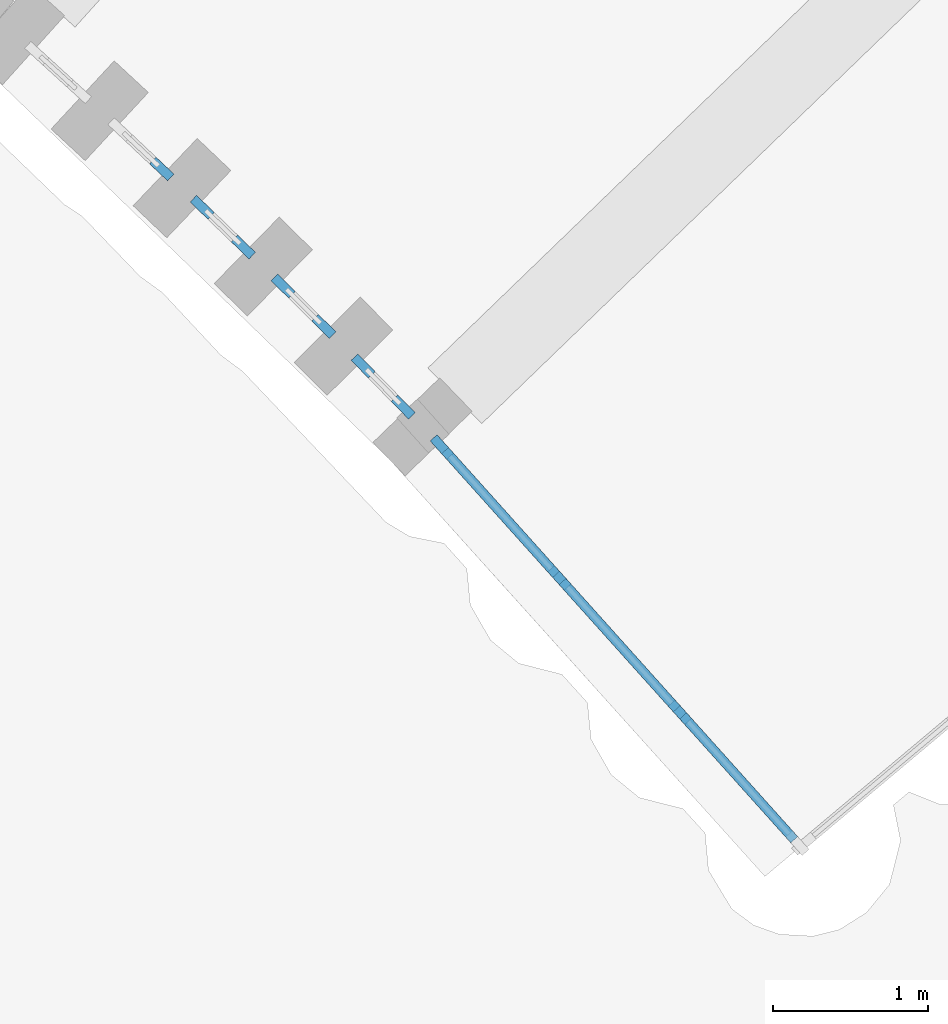
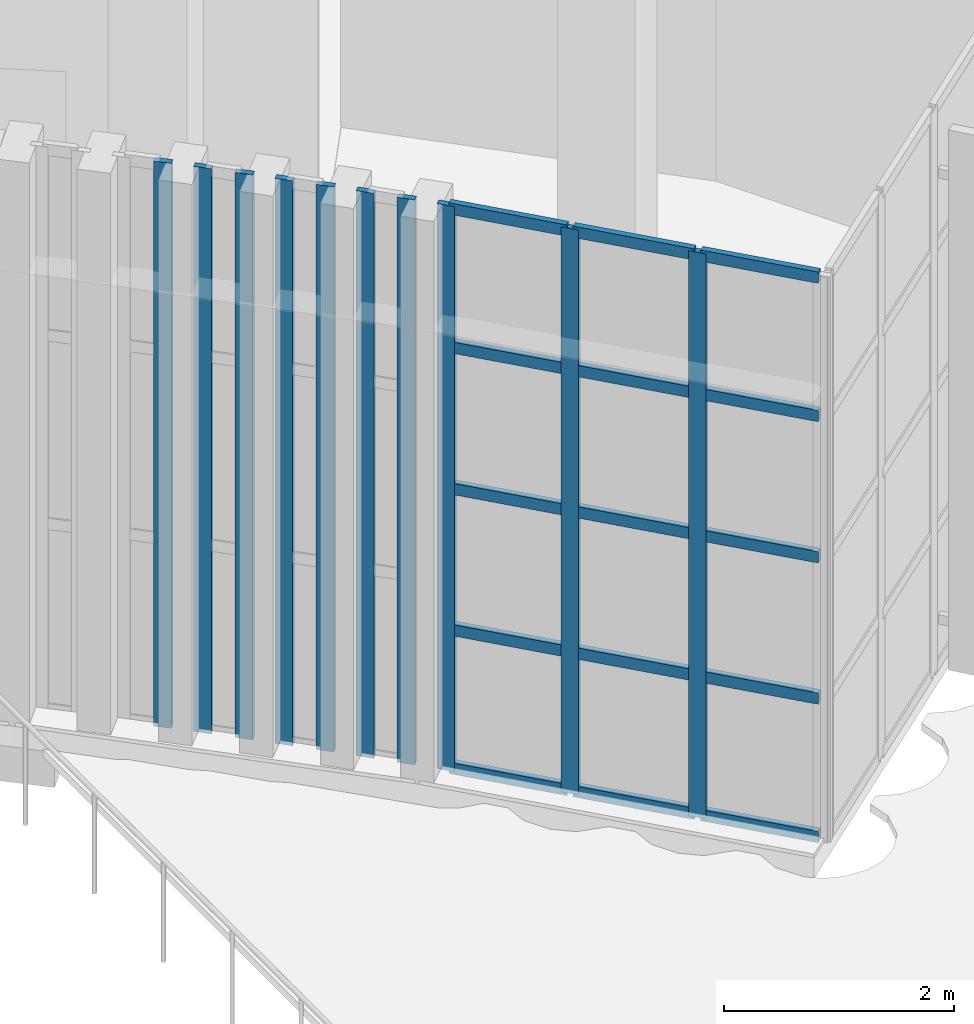
# One storey, part 28 of 155: 25 members, 5 elements without a shape of their own.
"""IFC4 building model written with IfcOpenShell, lengths in metres."""

from ifc_helpers import new_model, si_unit, direction, frame, origin, origin_2d, place, context, subcontext, project, spatial, rectangle, extrude, material, layer, layer_set, material_profile, profile_set, type_object, element, aggregate, save


model = new_model("IFC4")

# Units and contexts
model_context = context("Model", 3, precision=1e-05, world=origin(), true_north=direction((0.0, 1.0)))
body_context = subcontext(model_context, "Body", "Model", "MODEL_VIEW")
ifc_project = project(units=[si_unit("LENGTHUNIT", "METRE"), si_unit("AREAUNIT", "SQUARE_METRE"), si_unit("VOLUMEUNIT", "CUBIC_METRE"), si_unit("PLANEANGLEUNIT", "RADIAN"), si_unit("MASSUNIT", "GRAM", prefix="KILO")], contexts=[model_context])

# Site, building, storey
site_placement = place(None, origin())
site = spatial("IfcSite", under=ifc_project, at=site_placement, CompositionType="ELEMENT")
building_placement = place(site_placement, origin())
building = spatial("IfcBuilding", under=site, at=building_placement, Name="Lunette Opera House", CompositionType="ELEMENT")
storey_placement = place(building_placement, origin())
storey = spatial("IfcBuildingStorey", under=building, at=storey_placement, Name="L00", CompositionType="ELEMENT", Elevation=0.0)

# Curtain wall, member
ifc_material_1 = material(Name="Aluminium", Category="aluminium")
ifc_layer_1 = layer(ifc_material_1, 0.1201171875)
ifc_layer_set_1 = layer_set([ifc_layer_1], Name="Aluminium")
curtain_wall_type_1 = type_object("IfcCurtainWallType", Name="SLOT CURTAIN WALL", PredefinedType="NOTDEFINED", material=ifc_layer_set_1)
curtain_wall_1_placement = place(storey_placement, origin())
curtain_wall_1 = element("IfcCurtainWall", 1, at=curtain_wall_1_placement, inside=storey, type_object=curtain_wall_type_1, Name="Slot Curtain Wall CS077 L00", PredefinedType="NOTDEFINED")
ifc_material_2 = material(Name="Aluminium", Category="aluminium")
ifc_material_profile_1 = material_profile(ifc_material_2, rectangle(XDim=0.06005859375, YDim=0.159912109375, at=origin_2d()), Name="MULLION 60 X 160")
ifc_profile_set_1 = profile_set([ifc_material_profile_1], Name="Aluminium")
member_type_1 = type_object("IfcMemberType", Name="MULLION 60 X 160", PredefinedType="MULLION", material=ifc_profile_set_1)
member_1_placement = place(storey_placement, frame((131.936279296875, 37.99755859375, 0.0), z_axis=(0.0, 0.0, 1.0), x_axis=(0.685872190933, 0.727722019527, 0.0)))
member_1 = element("IfcMember", 2, at=member_1_placement, type_object=member_type_1, Name="FC-X2153 mullion 2", PredefinedType="MULLION", context=body_context, shape_type="SweptSolid", body=[
    extrude(rectangle(XDim=0.06005859375, YDim=0.159912109375, at=origin_2d()), origin(), (0.0, 0.0, 1.0), 6.0),
])
aggregate(curtain_wall_1, [member_1])

# Curtain wall, members
curtain_wall_2_placement = place(storey_placement, origin())
curtain_wall_2 = element("IfcCurtainWall", 3, at=curtain_wall_2_placement, inside=storey, type_object=curtain_wall_type_1, Name="Slot Curtain Wall CS078 L00", PredefinedType="NOTDEFINED")
member_2_placement = place(storey_placement, frame((132.197509765625, 37.750244140625, 0.0), z_axis=(0.0, 0.0, 1.0), x_axis=(0.695382685751, 0.718639631775, 0.0)))
member_2 = element("IfcMember", 4, at=member_2_placement, type_object=member_type_1, Name="FC-X2155 mullion 1", PredefinedType="MULLION", context=body_context, shape_type="SweptSolid", body=[
    extrude(rectangle(XDim=0.06005859375, YDim=0.159912109375, at=origin_2d()), origin(), (0.0, 0.0, 1.0), 6.0),
])
member_3_placement = place(storey_placement, frame((132.46337890625, 37.492919921875, 0.0), z_axis=(0.0, 0.0, 1.0), x_axis=(0.695382685751, 0.718639631775, 0.0)))
member_3 = element("IfcMember", 5, at=member_3_placement, type_object=member_type_1, Name="FC-X2155 mullion 2", PredefinedType="MULLION", context=body_context, shape_type="SweptSolid", body=[
    extrude(rectangle(XDim=0.06005859375, YDim=0.159912109375, at=origin_2d()), origin(), (0.0, 0.0, 1.0), 6.0),
])
aggregate(curtain_wall_2, [member_2, member_3])

curtain_wall_3_placement = place(storey_placement, origin())
curtain_wall_3 = element("IfcCurtainWall", 6, at=curtain_wall_3_placement, inside=storey, type_object=curtain_wall_type_1, Name="Slot Curtain Wall CS079 L00", PredefinedType="NOTDEFINED")
member_4_placement = place(storey_placement, frame((132.72021484375, 37.240966796875, 0.0), z_axis=(0.0, 0.0, 1.0), x_axis=(0.703614959454, 0.710581444194, 0.0)))
member_4 = element("IfcMember", 7, at=member_4_placement, type_object=member_type_1, Name="FC-X2157 mullion 1", PredefinedType="MULLION", context=body_context, shape_type="SweptSolid", body=[
    extrude(rectangle(XDim=0.06005859375, YDim=0.159912109375, at=origin_2d()), origin(), (0.0, 0.0, 1.0), 6.0),
])
member_5_placement = place(storey_placement, frame((132.983642578125, 36.980224609375, 0.0), z_axis=(0.0, 0.0, 1.0), x_axis=(0.703614959454, 0.710581444194, 0.0)))
member_5 = element("IfcMember", 8, at=member_5_placement, type_object=member_type_1, Name="FC-X2157 mullion 2", PredefinedType="MULLION", context=body_context, shape_type="SweptSolid", body=[
    extrude(rectangle(XDim=0.06005859375, YDim=0.159912109375, at=origin_2d()), origin(), (0.0, 0.0, 1.0), 6.0),
])
aggregate(curtain_wall_3, [member_4, member_5])

curtain_wall_4_placement = place(storey_placement, origin())
curtain_wall_4 = element("IfcCurtainWall", 9, at=curtain_wall_4_placement, inside=storey, type_object=curtain_wall_type_1, Name="Slot Curtain Wall CS080 L00", PredefinedType="NOTDEFINED")
member_6_placement = place(storey_placement, frame((133.237060546875, 36.724609375, 0.0), z_axis=(0.0, 0.0, 1.0), x_axis=(0.715187202406, 0.698932947796, 0.0)))
member_6 = element("IfcMember", 10, at=member_6_placement, type_object=member_type_1, Name="FC-X2159 mullion 1", PredefinedType="MULLION", context=body_context, shape_type="SweptSolid", body=[
    extrude(rectangle(XDim=0.06005859375, YDim=0.159912109375, at=origin_2d()), origin(), (0.0, 0.0, 1.0), 6.0),
])
member_7_placement = place(storey_placement, frame((133.49609375, 36.45947265625, 0.0), z_axis=(0.0, 0.0, 1.0), x_axis=(0.715187202406, 0.698932947796, 0.0)))
member_7 = element("IfcMember", 11, at=member_7_placement, type_object=member_type_1, Name="FC-X2159 mullion 2", PredefinedType="MULLION", context=body_context, shape_type="SweptSolid", body=[
    extrude(rectangle(XDim=0.06005859375, YDim=0.159912109375, at=origin_2d()), origin(), (0.0, 0.0, 1.0), 6.0),
])
aggregate(curtain_wall_4, [member_6, member_7])

ifc_material_3 = material(Name="Aluminium", Category="aluminium")
ifc_layer_2 = layer(ifc_material_3, 0.159912109375)
ifc_layer_set_2 = layer_set([ifc_layer_2], Name="Aluminium")
curtain_wall_type_2 = type_object("IfcCurtainWallType", Name="CORNER CURTAIN WALL", PredefinedType="NOTDEFINED", material=ifc_layer_set_2)
curtain_wall_5_placement = place(storey_placement, origin())
curtain_wall_5 = element("IfcCurtainWall", 12, at=curtain_wall_5_placement, inside=storey, type_object=curtain_wall_type_2, Name="Corner Curtain Wall GC-E1 L00", PredefinedType="NOTDEFINED")
member_8_placement = place(storey_placement, frame((133.74609375, 36.20068359375, 0.0), z_axis=(0.0, 0.0, 1.0), x_axis=(0.744216793887, 0.667938143615, 0.0)))
member_8 = element("IfcMember", 13, at=member_8_placement, type_object=member_type_1, Name="FC-X2171 mullion 1", PredefinedType="MULLION", context=body_context, shape_type="SweptSolid", body=[
    extrude(rectangle(XDim=0.06005859375, YDim=0.159912109375, at=origin_2d()), origin(), (0.0, 0.0, 1.0), 6.0),
])
member_9_placement = place(storey_placement, frame((134.50537109375, 35.354736328125, 0.0), z_axis=(0.0, 0.0, 1.0), x_axis=(0.744216793887, 0.667938143615, 0.0)))
member_9 = element("IfcMember", 14, at=member_9_placement, type_object=member_type_1, Name="FC-X2171 mullion 2", PredefinedType="MULLION", context=body_context, shape_type="SweptSolid", body=[
    extrude(rectangle(XDim=0.06005859375, YDim=0.159912109375, at=origin_2d()), origin(), (0.0, 0.0, 1.0), 6.0),
])
member_10_placement = place(storey_placement, frame((135.28466796875, 34.486328125, 0.0), z_axis=(0.0, 0.0, 1.0), x_axis=(0.744216793887, 0.667938143615, 0.0)))
member_10 = element("IfcMember", 15, at=member_10_placement, type_object=member_type_1, Name="FC-X2171 mullion 3", PredefinedType="MULLION", context=body_context, shape_type="SweptSolid", body=[
    extrude(rectangle(XDim=0.06005859375, YDim=0.159912109375, at=origin_2d()), origin(), (0.0, 0.0, 1.0), 6.0),
])
ifc_material_4 = material(Name="Aluminium", Category="aluminium")
ifc_material_profile_2 = material_profile(ifc_material_4, rectangle(XDim=0.06005859375, YDim=0.1201171875, at=origin_2d()), Name="TRANSOM 60 X 120")
ifc_profile_set_2 = profile_set([ifc_material_profile_2], Name="Aluminium")
member_type_2 = type_object("IfcMemberType", Name="TRANSOM 60 X 120", PredefinedType="USERDEFINED", material=ifc_profile_set_2)
member_11_placement = place(storey_placement, frame((133.76611328125, 36.178466796875, 0.030029296875), z_axis=(0.667874323451, -0.744274067851, 0.0), x_axis=(0.744274067851, 0.667874323451, 0.0)))
member_11 = element("IfcMember", 16, at=member_11_placement, type_object=member_type_2, Name="FC-X2171 transom 1.1", ObjectType="TRANSOM", PredefinedType="USERDEFINED", context=body_context, shape_type="SweptSolid", body=[
    extrude(rectangle(XDim=0.06005859375, YDim=0.1201171875, at=origin_2d()), origin(), (0.0, 0.0, 1.0), 1.076904296875),
])
member_12_placement = place(storey_placement, frame((133.76611328125, 36.178466796875, 1.5), z_axis=(0.667874323451, -0.744274067851, 0.0), x_axis=(0.744274067851, 0.667874323451, 0.0)))
member_12 = element("IfcMember", 17, at=member_12_placement, type_object=member_type_2, Name="FC-X2171 transom 1.2", ObjectType="TRANSOM", PredefinedType="USERDEFINED", context=body_context, shape_type="SweptSolid", body=[
    extrude(rectangle(XDim=0.06005859375, YDim=0.1201171875, at=origin_2d()), origin(), (0.0, 0.0, 1.0), 1.076904296875),
])
member_13_placement = place(storey_placement, frame((133.76611328125, 36.178466796875, 3.0), z_axis=(0.667874323451, -0.744274067851, 0.0), x_axis=(0.744274067851, 0.667874323451, 0.0)))
member_13 = element("IfcMember", 18, at=member_13_placement, type_object=member_type_2, Name="FC-X2171 transom 1.3", ObjectType="TRANSOM", PredefinedType="USERDEFINED", context=body_context, shape_type="SweptSolid", body=[
    extrude(rectangle(XDim=0.06005859375, YDim=0.1201171875, at=origin_2d()), origin(), (0.0, 0.0, 1.0), 1.076904296875),
])
member_14_placement = place(storey_placement, frame((133.76611328125, 36.178466796875, 4.5), z_axis=(0.667874323451, -0.744274067851, 0.0), x_axis=(0.744274067851, 0.667874323451, 0.0)))
member_14 = element("IfcMember", 19, at=member_14_placement, type_object=member_type_2, Name="FC-X2171 transom 1.4", ObjectType="TRANSOM", PredefinedType="USERDEFINED", context=body_context, shape_type="SweptSolid", body=[
    extrude(rectangle(XDim=0.06005859375, YDim=0.1201171875, at=origin_2d()), origin(), (0.0, 0.0, 1.0), 1.076904296875),
])
member_15_placement = place(storey_placement, frame((133.76611328125, 36.178466796875, 5.969970703125), z_axis=(0.667874323451, -0.744274067851, 0.0), x_axis=(0.744274067851, 0.667874323451, 0.0)))
member_15 = element("IfcMember", 20, at=member_15_placement, type_object=member_type_2, Name="FC-X2171 transom 1.5", ObjectType="TRANSOM", PredefinedType="USERDEFINED", context=body_context, shape_type="SweptSolid", body=[
    extrude(rectangle(XDim=0.06005859375, YDim=0.1201171875, at=origin_2d()), origin(), (0.0, 0.0, 1.0), 1.076904296875),
])
member_16_placement = place(storey_placement, frame((134.525390625, 35.332275390625, 0.030029296875), z_axis=(0.667916007316, -0.744236660728, 0.0), x_axis=(0.744236660728, 0.667916007316, 0.0)))
member_16 = element("IfcMember", 21, at=member_16_placement, type_object=member_type_2, Name="FC-X2171 transom 2.1", ObjectType="TRANSOM", PredefinedType="USERDEFINED", context=body_context, shape_type="SweptSolid", body=[
    extrude(rectangle(XDim=0.06005859375, YDim=0.1201171875, at=origin_2d()), origin(), (0.0, 0.0, 1.0), 1.10693359375),
])
member_17_placement = place(storey_placement, frame((134.525390625, 35.332275390625, 1.5), z_axis=(0.667916007316, -0.744236660728, 0.0), x_axis=(0.744236660728, 0.667916007316, 0.0)))
member_17 = element("IfcMember", 22, at=member_17_placement, type_object=member_type_2, Name="FC-X2171 transom 2.2", ObjectType="TRANSOM", PredefinedType="USERDEFINED", context=body_context, shape_type="SweptSolid", body=[
    extrude(rectangle(XDim=0.06005859375, YDim=0.1201171875, at=origin_2d()), origin(), (0.0, 0.0, 1.0), 1.10693359375),
])
member_18_placement = place(storey_placement, frame((134.525390625, 35.332275390625, 3.0), z_axis=(0.667916007316, -0.744236660728, 0.0), x_axis=(0.744236660728, 0.667916007316, 0.0)))
member_18 = element("IfcMember", 23, at=member_18_placement, type_object=member_type_2, Name="FC-X2171 transom 2.3", ObjectType="TRANSOM", PredefinedType="USERDEFINED", context=body_context, shape_type="SweptSolid", body=[
    extrude(rectangle(XDim=0.06005859375, YDim=0.1201171875, at=origin_2d()), origin(), (0.0, 0.0, 1.0), 1.10693359375),
])
member_19_placement = place(storey_placement, frame((134.525390625, 35.332275390625, 4.5), z_axis=(0.667916007316, -0.744236660728, 0.0), x_axis=(0.744236660728, 0.667916007316, 0.0)))
member_19 = element("IfcMember", 24, at=member_19_placement, type_object=member_type_2, Name="FC-X2171 transom 2.4", ObjectType="TRANSOM", PredefinedType="USERDEFINED", context=body_context, shape_type="SweptSolid", body=[
    extrude(rectangle(XDim=0.06005859375, YDim=0.1201171875, at=origin_2d()), origin(), (0.0, 0.0, 1.0), 1.10693359375),
])
member_20_placement = place(storey_placement, frame((134.525390625, 35.332275390625, 5.969970703125), z_axis=(0.667916007316, -0.744236660728, 0.0), x_axis=(0.744236660728, 0.667916007316, 0.0)))
member_20 = element("IfcMember", 25, at=member_20_placement, type_object=member_type_2, Name="FC-X2171 transom 2.5", ObjectType="TRANSOM", PredefinedType="USERDEFINED", context=body_context, shape_type="SweptSolid", body=[
    extrude(rectangle(XDim=0.06005859375, YDim=0.1201171875, at=origin_2d()), origin(), (0.0, 0.0, 1.0), 1.10693359375),
])
member_21_placement = place(storey_placement, frame((135.3046875, 34.464111328125, 0.030029296875), z_axis=(0.667874323451, -0.744274067851, 0.0), x_axis=(0.744274067851, 0.667874323451, 0.0)))
member_21 = element("IfcMember", 26, at=member_21_placement, type_object=member_type_2, Name="FC-X2171 transom 3.1", ObjectType="TRANSOM", PredefinedType="USERDEFINED", context=body_context, shape_type="SweptSolid", body=[
    extrude(rectangle(XDim=0.06005859375, YDim=0.1201171875, at=origin_2d()), origin(), (0.0, 0.0, 1.0), 1.076904296875),
])
member_22_placement = place(storey_placement, frame((135.3046875, 34.464111328125, 1.5), z_axis=(0.667874323451, -0.744274067851, 0.0), x_axis=(0.744274067851, 0.667874323451, 0.0)))
member_22 = element("IfcMember", 27, at=member_22_placement, type_object=member_type_2, Name="FC-X2171 transom 3.2", ObjectType="TRANSOM", PredefinedType="USERDEFINED", context=body_context, shape_type="SweptSolid", body=[
    extrude(rectangle(XDim=0.06005859375, YDim=0.1201171875, at=origin_2d()), origin(), (0.0, 0.0, 1.0), 1.076904296875),
])
member_23_placement = place(storey_placement, frame((135.3046875, 34.464111328125, 3.0), z_axis=(0.667874323451, -0.744274067851, 0.0), x_axis=(0.744274067851, 0.667874323451, 0.0)))
member_23 = element("IfcMember", 28, at=member_23_placement, type_object=member_type_2, Name="FC-X2171 transom 3.3", ObjectType="TRANSOM", PredefinedType="USERDEFINED", context=body_context, shape_type="SweptSolid", body=[
    extrude(rectangle(XDim=0.06005859375, YDim=0.1201171875, at=origin_2d()), origin(), (0.0, 0.0, 1.0), 1.076904296875),
])
member_24_placement = place(storey_placement, frame((135.3046875, 34.464111328125, 4.5), z_axis=(0.667874323451, -0.744274067851, 0.0), x_axis=(0.744274067851, 0.667874323451, 0.0)))
member_24 = element("IfcMember", 29, at=member_24_placement, type_object=member_type_2, Name="FC-X2171 transom 3.4", ObjectType="TRANSOM", PredefinedType="USERDEFINED", context=body_context, shape_type="SweptSolid", body=[
    extrude(rectangle(XDim=0.06005859375, YDim=0.1201171875, at=origin_2d()), origin(), (0.0, 0.0, 1.0), 1.076904296875),
])
member_25_placement = place(storey_placement, frame((135.3046875, 34.464111328125, 5.969970703125), z_axis=(0.667874323451, -0.744274067851, 0.0), x_axis=(0.744274067851, 0.667874323451, 0.0)))
member_25 = element("IfcMember", 30, at=member_25_placement, type_object=member_type_2, Name="FC-X2171 transom 3.5", ObjectType="TRANSOM", PredefinedType="USERDEFINED", context=body_context, shape_type="SweptSolid", body=[
    extrude(rectangle(XDim=0.06005859375, YDim=0.1201171875, at=origin_2d()), origin(), (0.0, 0.0, 1.0), 1.076904296875),
])
aggregate(curtain_wall_5, [member_8, member_9, member_10, member_11, member_12, member_13, member_14, member_15, member_16, member_17, member_18, member_19, member_20, member_21, member_22, member_23, member_24, member_25])

save(model, "model.ifc")
